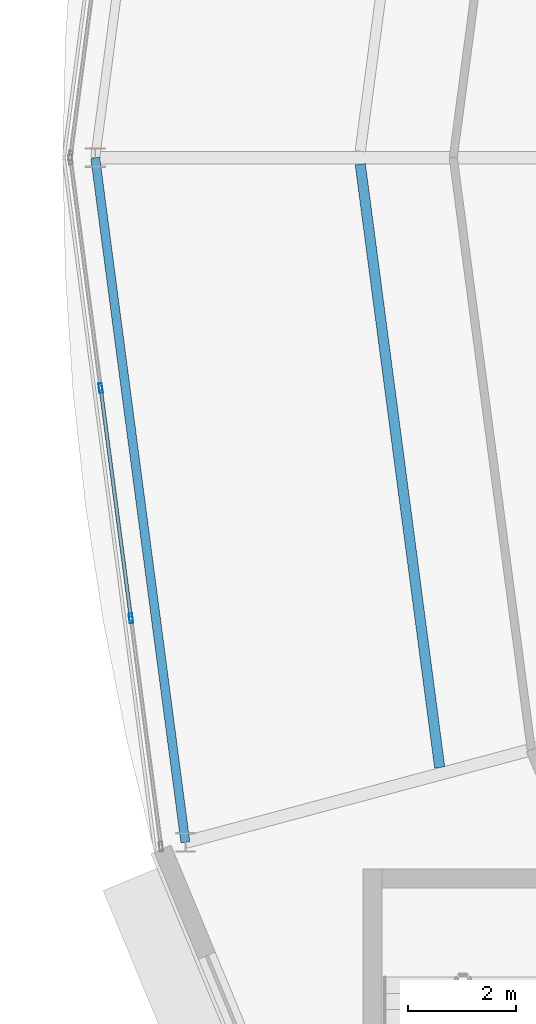
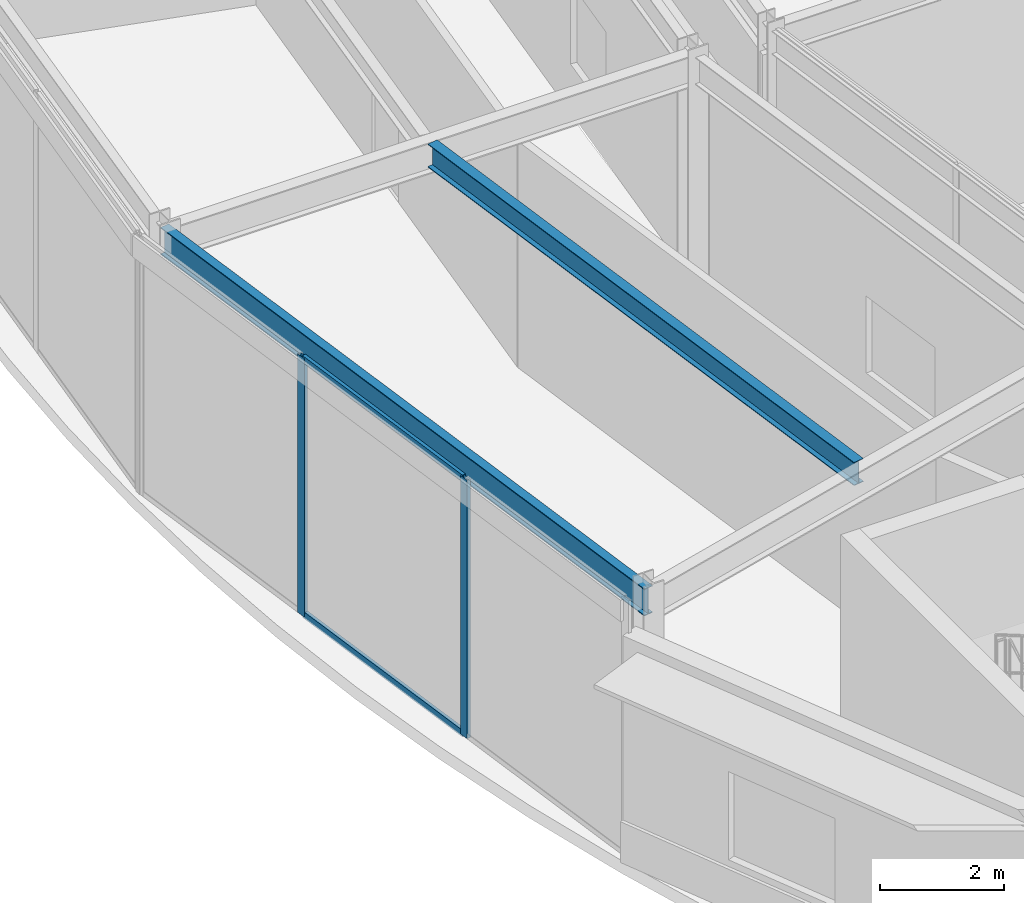
# One storey, part 34 of 168: 4 members, 2 beams, 1 element without a shape of its own.
"""IFC4 building model written with IfcOpenShell, lengths in metres."""

from ifc_helpers import new_model, si_unit, direction, frame, origin, origin_2d, place, context, subcontext, project, spatial, hollow_rectangle, i_section, extrude, material, material_profile, profile_set, type_object, element, aggregate, save


model = new_model("IFC4")

# Units and contexts
model_context = context("Model", 3, precision=1e-05, world=origin(), true_north=direction((0.0, 1.0)))
body_context = subcontext(model_context, "Body", "Model", "MODEL_VIEW")
ifc_project = project(units=[si_unit("LENGTHUNIT", "METRE"), si_unit("AREAUNIT", "SQUARE_METRE"), si_unit("VOLUMEUNIT", "CUBIC_METRE"), si_unit("PLANEANGLEUNIT", "RADIAN"), si_unit("MASSUNIT", "GRAM", prefix="KILO")], contexts=[model_context])

# Site, building, storey
site_placement = place(None, origin())
site = spatial("IfcSite", under=ifc_project, at=site_placement, CompositionType="ELEMENT")
building_placement = place(site_placement, origin())
building = spatial("IfcBuilding", under=site, at=building_placement, Name="Almandine Court Research Institute", CompositionType="ELEMENT")
storey_placement = place(building_placement, origin())
storey = spatial("IfcBuildingStorey", under=building, at=storey_placement, Name="L00", CompositionType="ELEMENT", Elevation=0.0)

# Beams
ifc_material_1 = material(Name="Steel ASTM A992 Grade 50", Category="steel")
ifc_material_profile_1 = material_profile(ifc_material_1, i_section(OverallWidth=0.18994140625, OverallDepth=0.45703125, WebThickness=0.009033203125, FlangeThickness=0.014892578125, at=origin_2d()), Name="W460x74")
ifc_profile_set_1 = profile_set([ifc_material_profile_1], Name="Steel ASTM A992 Grade 50")
beam_type_1 = type_object("IfcBeamType", Name="Beam-B-01", PredefinedType="BEAM", material=ifc_profile_set_1)
beam_1_placement = place(storey_placement, frame((43.0, 55.8798828125, 4.841064453125), z_axis=(0.130512904889, -0.991446610594, 0.0), x_axis=(0.991446610594, 0.130512904889, 0.0)))
element("IfcBeam", 1, at=beam_1_placement, inside=storey, type_object=beam_type_1, Name="L00 Drum MID Ring Beam 12", PredefinedType="BEAM", context=body_context, shape_type="SweptSolid", body=[
    extrude(i_section(OverallWidth=0.18994140625, OverallDepth=0.45703125, WebThickness=0.009033203125, FlangeThickness=0.014892578125, at=origin_2d()), origin(), (0.0, 0.0, 1.0), 11.248046875),
])
ifc_material_profile_2 = material_profile(ifc_material_1, i_section(OverallWidth=0.166015625, OverallDepth=0.534912109375, WebThickness=0.010009765625, FlangeThickness=0.01708984375, at=origin_2d()), Name="W530x85")
ifc_profile_set_2 = profile_set([ifc_material_profile_2], Name="Steel ASTM A992 Grade 50")
beam_type_2 = type_object("IfcBeamType", Name="Beam-G-05-E", PredefinedType="SPANDREL", material=ifc_profile_set_2)
beam_2_placement = place(storey_placement, frame((38.10009765625, 56.0, 4.802978515625), z_axis=(0.130512396599, -0.991446677504, 0.0), x_axis=(0.991446677504, 0.130512396599, 0.0)))
element("IfcBeam", 2, at=beam_2_placement, inside=storey, type_object=beam_type_2, Name="L00 Drum OUT Ring Beam 12", PredefinedType="SPANDREL", context=body_context, shape_type="SweptSolid", body=[
    extrude(i_section(OverallWidth=0.166015625, OverallDepth=0.534912109375, WebThickness=0.010009765625, FlangeThickness=0.01708984375, at=origin_2d()), origin(), (0.0, 0.0, 1.0), 12.76513671875),
])

# Curtain wall, members
ifc_material_2 = material(Name="Unitised Curtain Wall Framing and Solar Glazing", Category="glass")
curtain_wall_type = type_object("IfcCurtainWallType", Name="CW-CWJ-17", PredefinedType="USERDEFINED", material=ifc_material_2)
curtain_wall_placement = place(storey_placement, origin())
curtain_wall = element("IfcCurtainWall", 3, at=curtain_wall_placement, inside=storey, type_object=curtain_wall_type, Name="L00 Stacked-Ring Drum Outer Solar Jali Screen 12", ObjectType="SOLAR JALI SCREEN", PredefinedType="USERDEFINED")
ifc_material_3 = material(Name="Anodised Aluminium AW-6063-T6", Category="aluminium")
ifc_material_profile_3 = material_profile(ifc_material_3, hollow_rectangle(XDim=0.06494140625, YDim=0.179931640625, WallThickness=0.00390625, at=origin_2d()), Name="ALU RHS 65x180x4")
ifc_profile_set_3 = profile_set([ifc_material_profile_3], Name="Anodised Aluminium AW-6063-T6")
member_type_1 = type_object("IfcMemberType", Name="CWMul-65x180", PredefinedType="MULLION", material=ifc_profile_set_3)
member_1_placement = place(storey_placement, frame((38.7607421875, 47.484619140625, 0.0), z_axis=(0.0, 0.0, 1.0), x_axis=(-0.991442926098, -0.130540891259, 0.0)))
member_1 = element("IfcMember", 4, at=member_1_placement, type_object=member_type_1, Name="CWJ-17 mullion 2", PredefinedType="MULLION", context=body_context, shape_type="SweptSolid", body=[
    extrude(hollow_rectangle(XDim=0.06494140625, YDim=0.179931640625, WallThickness=0.00390625, at=origin_2d()), origin(), (0.0, 0.0, 1.0), 5.070068359375),
])
member_2_placement = place(storey_placement, frame((38.200439453125, 51.740234375, 0.0), z_axis=(0.0, 0.0, 1.0), x_axis=(-0.991442926098, -0.130540891259, 0.0)))
member_2 = element("IfcMember", 5, at=member_2_placement, type_object=member_type_1, Name="CWJ-17 mullion 3", PredefinedType="MULLION", context=body_context, shape_type="SweptSolid", body=[
    extrude(hollow_rectangle(XDim=0.06494140625, YDim=0.179931640625, WallThickness=0.00390625, at=origin_2d()), origin(), (0.0, 0.0, 1.0), 5.070068359375),
])
ifc_material_profile_4 = material_profile(ifc_material_3, hollow_rectangle(XDim=0.06494140625, YDim=0.1298828125, WallThickness=0.00390625, at=origin_2d()), Name="ALU RHS 65x130x4")
ifc_profile_set_4 = profile_set([ifc_material_profile_4], Name="Anodised Aluminium AW-6063-T6")
member_type_2 = type_object("IfcMemberType", Name="CWTrn-65x130", PredefinedType="NOTDEFINED", material=ifc_profile_set_4)
member_3_placement = place(storey_placement, frame((38.75634765625, 47.516845703125, 0.032470703125), z_axis=(-0.130521740045, 0.991445447504, 0.0), x_axis=(-0.991445447504, -0.130521740045, 0.0)))
member_3 = element("IfcMember", 6, at=member_3_placement, type_object=member_type_2, Name="CWJ-17 transom 2.1", ObjectType="TRANSOM", PredefinedType="USERDEFINED", context=body_context, shape_type="SweptSolid", body=[
    extrude(hollow_rectangle(XDim=0.06494140625, YDim=0.1298828125, WallThickness=0.00390625, at=origin_2d()), origin(), (0.0, 0.0, 1.0), 4.227294921875),
])
member_4_placement = place(storey_placement, frame((38.75634765625, 47.516845703125, 5.03759765625), z_axis=(-0.130521740045, 0.991445447504, 0.0), x_axis=(-0.991445447504, -0.130521740045, 0.0)))
member_4 = element("IfcMember", 7, at=member_4_placement, type_object=member_type_2, Name="CWJ-17 transom 2.2", ObjectType="TRANSOM", PredefinedType="USERDEFINED", context=body_context, shape_type="SweptSolid", body=[
    extrude(hollow_rectangle(XDim=0.06494140625, YDim=0.1298828125, WallThickness=0.00390625, at=origin_2d()), origin(), (0.0, 0.0, 1.0), 4.227294921875),
])
aggregate(curtain_wall, [member_1, member_2, member_3, member_4])

save(model, "model.ifc")
